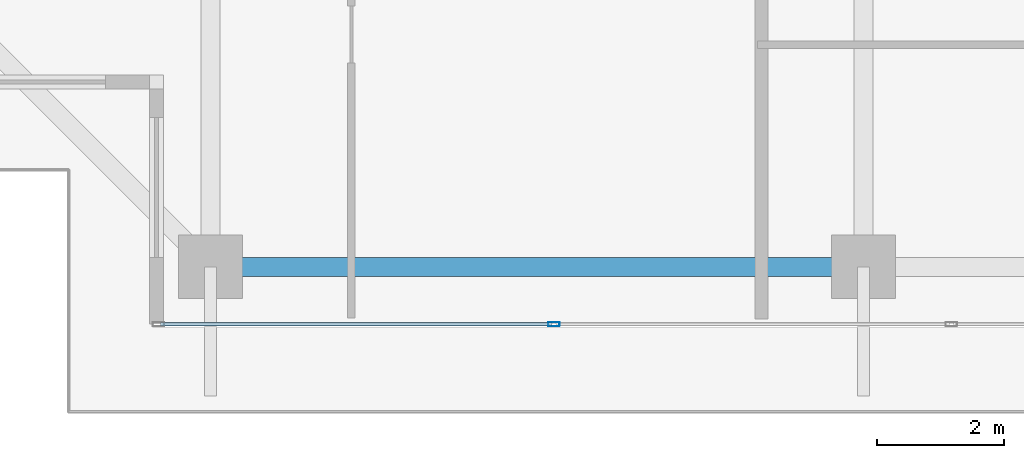
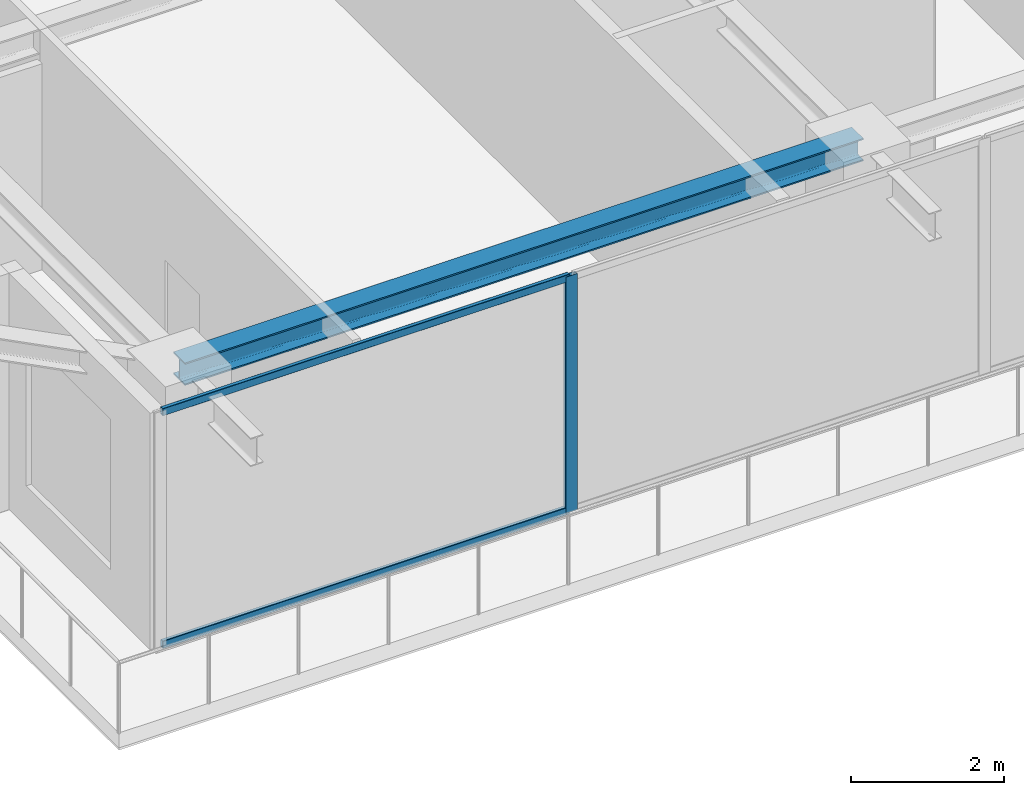
# One storey, part 3 of 40: 3 members, 1 beam, 1 element without a shape of its own.
"""IFC4 building model written with IfcOpenShell, lengths in metres."""

from ifc_helpers import new_model, si_unit, direction, frame, origin, origin_2d, place, context, subcontext, project, spatial, hollow_rectangle, i_section, extrude, source, transform, mapped, material, layer, layer_set, material_profile, profile_set, type_object, element, aggregate, save


model = new_model("IFC4")

# Units and contexts
model_context = context("Model", 3, precision=1e-05, world=origin(), true_north=direction((0.0, 1.0)))
body_context = subcontext(model_context, "Body", "Model", "MODEL_VIEW")
ifc_project = project(units=[si_unit("LENGTHUNIT", "METRE"), si_unit("AREAUNIT", "SQUARE_METRE"), si_unit("VOLUMEUNIT", "CUBIC_METRE"), si_unit("PLANEANGLEUNIT", "RADIAN"), si_unit("MASSUNIT", "GRAM", prefix="KILO")], contexts=[model_context])

# Site, building, storey
site_placement = place(None, origin())
site = spatial("IfcSite", under=ifc_project, at=site_placement, CompositionType="ELEMENT")
building_placement = place(site_placement, origin())
building = spatial("IfcBuilding", under=site, at=building_placement, Name="Serunith Strait Residences", CompositionType="ELEMENT")
storey_placement = place(building_placement, frame((0.0, 0.0, 313.699951171875)))
storey = spatial("IfcBuildingStorey", under=building, at=storey_placement, Name="L78", CompositionType="ELEMENT", Elevation=313.699951171875)

# Beam
ifc_material_1 = material(Name="Steel S355J2", Category="steel")
ifc_material_profile_1 = material_profile(ifc_material_1, i_section(OverallWidth=0.300048828125, OverallDepth=0.360107421875, WebThickness=0.012451171875, FlangeThickness=0.0224609375, FilletRadius=0.027099609375, at=origin_2d()), Name="HEB 360")
ifc_profile_set_1 = profile_set([ifc_material_profile_1], Name="Steel S355J2")
beam_type = type_object("IfcBeamType", Name="BM-HEB360", PredefinedType="BEAM", material=ifc_profile_set_1)
shared_shape_1 = source(origin(), body_context, "Body", "SweptSolid", [
    extrude(i_section(OverallWidth=0.300048828125, OverallDepth=0.360107421875, WebThickness=0.012451171875, FlangeThickness=0.0224609375, FilletRadius=0.027099609375, at=origin_2d()), origin(), (0.0, 0.0, 1.0), 10.25),
])
beam_placement = place(storey_placement, frame((17.64990234375, 3.300048828125, 3.60693359375), z_axis=(1.0, 0.0, 0.0), x_axis=(0.0, 1.0, 0.0)))
element("IfcBeam", 1, at=beam_placement, inside=storey, type_object=beam_type, Name="L78 Perimeter Ring Beam 01", PredefinedType="BEAM", context=body_context, shape_type="MappedRepresentation", body=[
    mapped(shared_shape_1, transform((0.0, 0.0, 0.0), scale=1.0)),
])

# Curtain wall, members
ifc_material_2 = material(Name="Brushed Stainless-Silver Aluminium", Category="aluminium")
ifc_layer = layer(ifc_material_2, 0.199951171875, Name="Brushed Stainless-Silver Aluminium")
ifc_layer_set = layer_set([ifc_layer], Name="Brushed Stainless-Silver Aluminium")
curtain_wall_type = type_object("IfcCurtainWallType", Name="CW-SYS5", PredefinedType="NOTDEFINED", material=ifc_layer_set)
curtain_wall_placement = place(storey_placement, origin())
curtain_wall = element("IfcCurtainWall", 2, at=curtain_wall_placement, inside=storey, type_object=curtain_wall_type, Name="L78 S Unitised Fritted Curtain Wall", PredefinedType="NOTDEFINED")
ifc_material_profile_2 = material_profile(ifc_material_2, hollow_rectangle(XDim=0.06494140625, YDim=0.179931640625, WallThickness=0.00341796875, InnerFilletRadius=0.00537109375, OuterFilletRadius=0.0087890625, at=origin_2d()), Name="ALU 180x65x3.5")
ifc_profile_set_2 = profile_set([ifc_material_profile_2], Name="Brushed Stainless-Silver Aluminium")
member_type_1 = type_object("IfcMemberType", Name="CW-SYS5-MULL", PredefinedType="MULLION", material=ifc_profile_set_2)
shared_shape_2 = source(origin(), body_context, "Body", "SweptSolid", [
    extrude(hollow_rectangle(XDim=0.06494140625, YDim=0.179931640625, WallThickness=0.00341796875, InnerFilletRadius=0.00537109375, OuterFilletRadius=0.0087890625, at=origin_2d()), origin(), (0.0, 0.0, 1.0), 3.775146484375),
])
member_1_placement = place(storey_placement, frame((23.0400390625, 2.39990234375, 0.0), z_axis=(0.0, 0.0, 1.0), x_axis=(0.0, 1.0, 0.0)))
member_1 = element("IfcMember", 3, at=member_1_placement, type_object=member_type_1, Name="CW-5 mullion 2", PredefinedType="MULLION", context=body_context, shape_type="MappedRepresentation", body=[
    mapped(shared_shape_2, transform((0.0, 0.0, 0.0), scale=1.0)),
])
ifc_material_profile_3 = material_profile(ifc_material_2, hollow_rectangle(XDim=0.06005859375, YDim=0.1201171875, WallThickness=0.00341796875, InnerFilletRadius=0.00537109375, OuterFilletRadius=0.0087890625, at=origin_2d()), Name="ALU 120x60x3.5")
ifc_profile_set_3 = profile_set([ifc_material_profile_3], Name="Brushed Stainless-Silver Aluminium")
member_type_2 = type_object("IfcMemberType", Name="CW-SYS5-TRAN", PredefinedType="USERDEFINED", material=ifc_profile_set_3)
shared_shape_3 = source(origin(), body_context, "Body", "SweptSolid", [
    extrude(hollow_rectangle(XDim=0.06005859375, YDim=0.1201171875, WallThickness=0.00341796875, InnerFilletRadius=0.00537109375, OuterFilletRadius=0.0087890625, at=origin_2d()), origin(), (0.0, 0.0, 1.0), 6.142578125),
])
member_2_placement = place(storey_placement, frame((16.864990234375, 2.39990234375, 0.030029296875), z_axis=(1.0, 0.0, 0.0), x_axis=(0.0, 1.0, 0.0)))
member_2 = element("IfcMember", 4, at=member_2_placement, type_object=member_type_2, Name="CW-5 transom 1.1", ObjectType="TRANSOM", PredefinedType="USERDEFINED", context=body_context, shape_type="MappedRepresentation", body=[
    mapped(shared_shape_3, transform((0.0, 0.0, 0.0), scale=1.0)),
])
member_3_placement = place(storey_placement, frame((16.864990234375, 2.39990234375, 3.7451171875), z_axis=(1.0, 0.0, 0.0), x_axis=(0.0, 1.0, 0.0)))
member_3 = element("IfcMember", 5, at=member_3_placement, type_object=member_type_2, Name="CW-5 transom 1.2", ObjectType="TRANSOM", PredefinedType="USERDEFINED", context=body_context, shape_type="MappedRepresentation", body=[
    mapped(shared_shape_3, transform((0.0, 0.0, 0.0), scale=1.0)),
])
aggregate(curtain_wall, [member_1, member_2, member_3])

save(model, "model.ifc")
